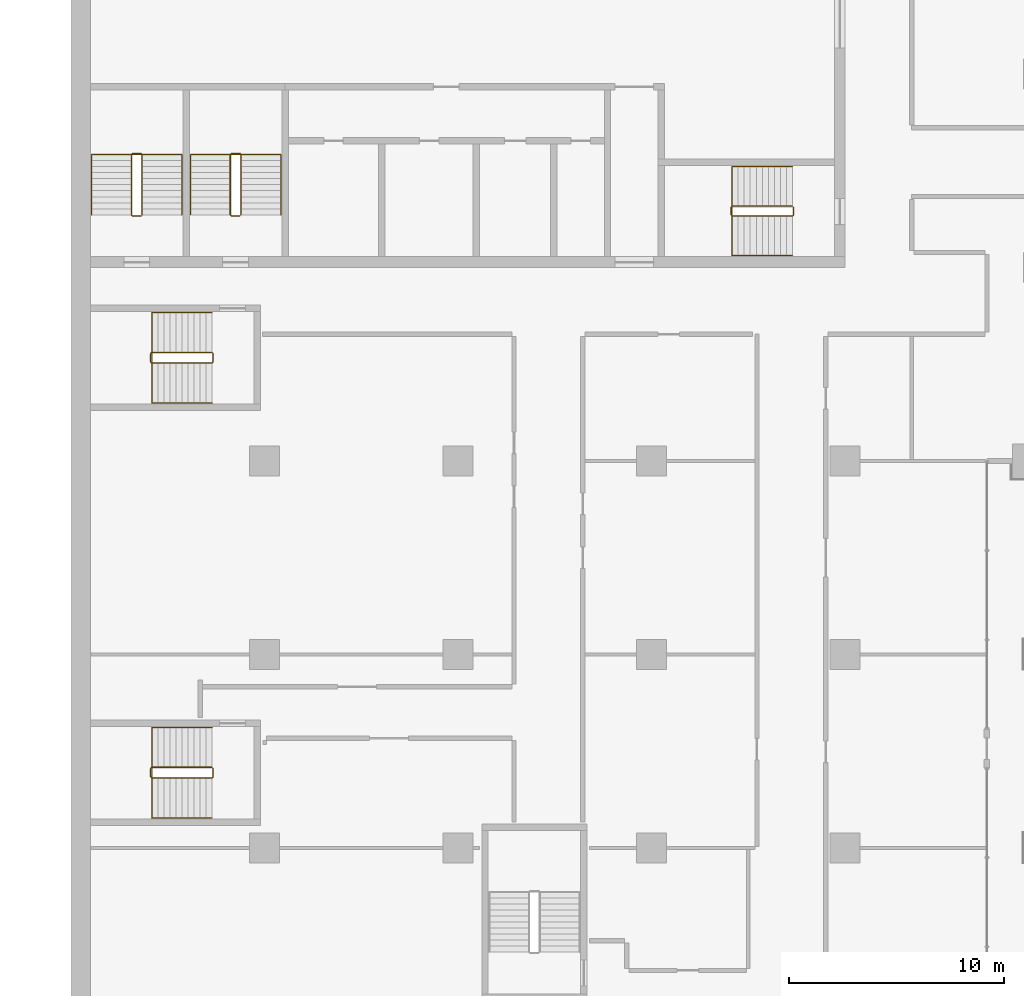
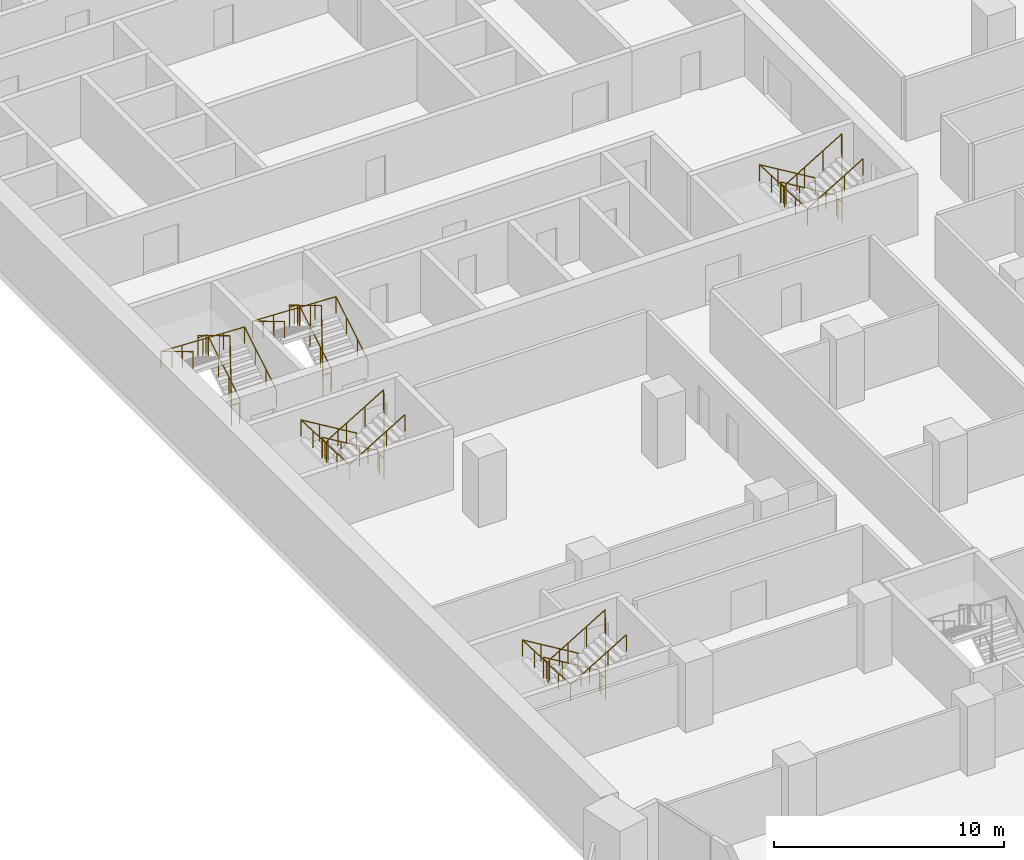
# One storey, part 25 of 28: 10 railings.
"""IFC4 building model written with IfcOpenShell, lengths in metres."""

from ifc_helpers import new_model, si_unit, direction, frame, origin, origin_2d, place, context, subcontext, project, spatial, circle, extrude, material, type_object, element, save


model = new_model("IFC4")

# Units and contexts
model_context = context("Model", 3, precision=1e-05, world=origin(), true_north=direction((0.0, 1.0)))
body_context = subcontext(model_context, "Body", "Model", "MODEL_VIEW")
ifc_project = project(units=[si_unit("LENGTHUNIT", "METRE"), si_unit("AREAUNIT", "SQUARE_METRE"), si_unit("VOLUMEUNIT", "CUBIC_METRE"), si_unit("PLANEANGLEUNIT", "RADIAN"), si_unit("MASSUNIT", "GRAM", prefix="KILO")], contexts=[model_context])

# Site, building, storey
site_placement = place(None, origin())
site = spatial("IfcSite", under=ifc_project, at=site_placement, CompositionType="ELEMENT")
building_placement = place(site_placement, origin())
building = spatial("IfcBuilding", under=site, at=building_placement, Name="Hunhe Ridgeline Campus", CompositionType="ELEMENT")
storey_placement = place(building_placement, frame((0.0, 0.0, 61.699951171875)))
storey = spatial("IfcBuildingStorey", under=building, at=storey_placement, Name="L14", CompositionType="ELEMENT", Elevation=61.699951171875)

# Railings
ifc_material_1 = material(Name="Stainless steel balustrade", Category="steel")
railing_type_1 = type_object("IfcRailingType", Name="Stair guard 1100 stainless", PredefinedType="GUARDRAIL", material=ifc_material_1)
railing_1_placement = place(storey_placement, frame((33.550048828125, 65.85009765625, 0.168212890625)))
element("IfcRailing", 1, at=railing_1_placement, inside=storey, type_object=railing_type_1, Name="L14 stair S2 guard", PredefinedType="GUARDRAIL", context=body_context, shape_type="SweptSolid", body=[
    extrude(circle(Radius=0.02392578125, at=origin_2d()), frame((0.0, 0.0, 1.076171875), z_axis=(-0.857242210791, 0.0, 0.514913383045), x_axis=(0.0, -1.0, 0.0)), (0.0, 0.0, 1.0), 3.266357421875),
    extrude(circle(Radius=0.02392578125, at=origin_2d()), frame((-2.800048828125, 0.0, 2.7578125), z_axis=(-0.707106781187, -0.707106781187, 0.0), x_axis=(0.707106781187, -0.707106781187, 0.0)), (0.0, 0.0, 1.0), 0.07080078125),
    extrude(circle(Radius=0.02392578125, at=origin_2d()), frame((-2.85009765625, -0.050048828125, 2.7578125), z_axis=(0.0, -1.0, 0.0), x_axis=(1.0, 0.0, 0.0)), (0.0, 0.0, 1.0), 0.35009765625),
    extrude(circle(Radius=0.02392578125, at=origin_2d()), frame((-2.85009765625, -0.400146484375, 2.7578125), z_axis=(0.274243871929, -0.274243871929, 0.92172696468), x_axis=(0.707106781187, 0.707106781187, 0.0)), (0.0, 0.0, 1.0), 0.1826171875),
    extrude(circle(Radius=0.02392578125, at=origin_2d()), frame((-2.800048828125, -0.4501953125, 2.92626953125), z_axis=(0.857275202839, 0.0, 0.514858452973), x_axis=(0.0, 1.0, 0.0)), (0.0, 0.0, 1.0), 3.26611328125),
    extrude(circle(Radius=0.02392578125, at=origin_2d()), frame((0.0, -0.4501953125, 4.60791015625), z_axis=(0.013524414389, 0.013524414389, -0.999817073484), x_axis=(-0.707106781187, 0.707106781187, 0.0)), (0.0, 0.0, 1.0), 3.70068359375),
    extrude(circle(Radius=0.02392578125, at=origin_2d()), frame((0.050048828125, -0.400146484375, 0.90771484375), z_axis=(0.0, 1.0, 0.0), x_axis=(-1.0, 0.0, 0.0)), (0.0, 0.0, 1.0), 0.35009765625),
    extrude(circle(Radius=0.02099609375, at=origin_2d()), origin(), (0.0, 0.0, 1.0), 1.052001953125),
    extrude(circle(Radius=0.02099609375, at=origin_2d()), frame((-0.933349609375, 0.0, 0.560546875)), (0.0, 0.0, 1.0), 1.052001953125),
    extrude(circle(Radius=0.02099609375, at=origin_2d()), frame((-1.86669921875, 0.0, 1.121337890625)), (0.0, 0.0, 1.0), 1.052001953125),
    extrude(circle(Radius=0.02099609375, at=origin_2d()), frame((-2.800048828125, 0.0, 1.681884765625)), (0.0, 0.0, 1.0), 1.052001953125),
    extrude(circle(Radius=0.02099609375, at=origin_2d()), frame((-2.85009765625, -0.050048828125, 1.681884765625)), (0.0, 0.0, 1.0), 1.052001953125),
    extrude(circle(Radius=0.02099609375, at=origin_2d()), frame((-2.85009765625, -0.400146484375, 1.681884765625)), (0.0, 0.0, 1.0), 1.052001953125),
    extrude(circle(Radius=0.02099609375, at=origin_2d()), frame((-2.800048828125, -0.4501953125, 1.85009765625)), (0.0, 0.0, 1.0), 1.052001953125),
    extrude(circle(Radius=0.02099609375, at=origin_2d()), frame((-1.86669921875, -0.4501953125, 2.41064453125)), (0.0, 0.0, 1.0), 1.052001953125),
    extrude(circle(Radius=0.02099609375, at=origin_2d()), frame((-0.933349609375, -0.4501953125, 2.97119140625)), (0.0, 0.0, 1.0), 1.052001953125),
    extrude(circle(Radius=0.02099609375, at=origin_2d()), frame((0.0, -0.4501953125, 3.53173828125)), (0.0, 0.0, 1.0), 1.052001953125),
    extrude(circle(Radius=0.02099609375, at=origin_2d()), frame((0.012451171875, -0.437744140625, 2.606689453125)), (0.0, 0.0, 1.0), 1.052001953125),
    extrude(circle(Radius=0.02099609375, at=origin_2d()), frame((0.02490234375, -0.42529296875, 1.681640625)), (0.0, 0.0, 1.0), 1.052001953125),
    extrude(circle(Radius=0.02099609375, at=origin_2d()), frame((0.03759765625, -0.41259765625, 0.7568359375)), (0.0, 0.0, 1.0), 1.052001953125),
    extrude(circle(Radius=0.02099609375, at=origin_2d()), frame((0.050048828125, -0.400146484375, -0.168212890625)), (0.0, 0.0, 1.0), 1.052001953125),
    extrude(circle(Radius=0.02099609375, at=origin_2d()), frame((0.050048828125, -0.050048828125, -0.168212890625)), (0.0, 0.0, 1.0), 1.052001953125),
])
railing_2_placement = place(storey_placement, frame((3.300048828125, 65.449951171875, 0.168212890625)))
element("IfcRailing", 2, at=railing_2_placement, inside=storey, type_object=railing_type_1, Name="L14 stair S3 guard", PredefinedType="GUARDRAIL", context=body_context, shape_type="SweptSolid", body=[
    extrude(circle(Radius=0.02392578125, at=origin_2d()), frame((0.0, 0.0, 1.076171875), z_axis=(0.0, 0.857242210791, 0.514913383045), x_axis=(-1.0, 0.0, 0.0)), (0.0, 0.0, 1.0), 3.266357421875),
    extrude(circle(Radius=0.02392578125, at=origin_2d()), frame((0.0, 2.800048828125, 2.7578125), z_axis=(-0.707106781187, 0.707106781187, 0.0), x_axis=(-0.707106781187, -0.707106781187, 0.0)), (0.0, 0.0, 1.0), 0.07080078125),
    extrude(circle(Radius=0.02392578125, at=origin_2d()), frame((-0.050048828125, 2.85009765625, 2.7578125), z_axis=(-1.0, 0.0, 0.0), x_axis=(0.0, -1.0, 0.0)), (0.0, 0.0, 1.0), 0.39990234375),
    extrude(circle(Radius=0.02392578125, at=origin_2d()), frame((-0.449951171875, 2.85009765625, 2.7578125), z_axis=(-0.274243871929, -0.274243871929, 0.92172696468), x_axis=(0.707106781187, -0.707106781187, 0.0)), (0.0, 0.0, 1.0), 0.1826171875),
    extrude(circle(Radius=0.02392578125, at=origin_2d()), frame((-0.5, 2.800048828125, 2.92626953125), z_axis=(0.0, -0.857275202839, 0.514858452973), x_axis=(1.0, 0.0, 0.0)), (0.0, 0.0, 1.0), 3.26611328125),
    extrude(circle(Radius=0.02392578125, at=origin_2d()), frame((-0.5, 0.0, 4.60791015625), z_axis=(0.013524414389, -0.013524414389, -0.999817073484), x_axis=(0.707106781187, 0.707106781187, 0.0)), (0.0, 0.0, 1.0), 3.70068359375),
    extrude(circle(Radius=0.02392578125, at=origin_2d()), frame((-0.449951171875, -0.050048828125, 0.90771484375), z_axis=(1.0, 0.0, 0.0), x_axis=(0.0, 1.0, 0.0)), (0.0, 0.0, 1.0), 0.39990234375),
    extrude(circle(Radius=0.02099609375, at=origin_2d()), origin(), (0.0, 0.0, 1.0), 1.052001953125),
    extrude(circle(Radius=0.02099609375, at=origin_2d()), frame((0.0, 0.933349609375, 0.560546875)), (0.0, 0.0, 1.0), 1.052001953125),
    extrude(circle(Radius=0.02099609375, at=origin_2d()), frame((0.0, 1.86669921875, 1.121337890625)), (0.0, 0.0, 1.0), 1.052001953125),
    extrude(circle(Radius=0.02099609375, at=origin_2d()), frame((0.0, 2.800048828125, 1.681884765625)), (0.0, 0.0, 1.0), 1.052001953125),
    extrude(circle(Radius=0.02099609375, at=origin_2d()), frame((-0.050048828125, 2.85009765625, 1.681884765625)), (0.0, 0.0, 1.0), 1.052001953125),
    extrude(circle(Radius=0.02099609375, at=origin_2d()), frame((-0.449951171875, 2.85009765625, 1.681884765625)), (0.0, 0.0, 1.0), 1.052001953125),
    extrude(circle(Radius=0.02099609375, at=origin_2d()), frame((-0.5, 2.800048828125, 1.85009765625)), (0.0, 0.0, 1.0), 1.052001953125),
    extrude(circle(Radius=0.02099609375, at=origin_2d()), frame((-0.5, 1.86669921875, 2.41064453125)), (0.0, 0.0, 1.0), 1.052001953125),
    extrude(circle(Radius=0.02099609375, at=origin_2d()), frame((-0.5, 0.933349609375, 2.97119140625)), (0.0, 0.0, 1.0), 1.052001953125),
    extrude(circle(Radius=0.02099609375, at=origin_2d()), frame((-0.5, 0.0, 3.53173828125)), (0.0, 0.0, 1.0), 1.052001953125),
    extrude(circle(Radius=0.02099609375, at=origin_2d()), frame((-0.487548828125, -0.012451171875, 2.606689453125)), (0.0, 0.0, 1.0), 1.052001953125),
    extrude(circle(Radius=0.02099609375, at=origin_2d()), frame((-0.47509765625, -0.02490234375, 1.681640625)), (0.0, 0.0, 1.0), 1.052001953125),
    extrude(circle(Radius=0.02099609375, at=origin_2d()), frame((-0.46240234375, -0.03759765625, 0.7568359375)), (0.0, 0.0, 1.0), 1.052001953125),
    extrude(circle(Radius=0.02099609375, at=origin_2d()), frame((-0.449951171875, -0.050048828125, -0.168212890625)), (0.0, 0.0, 1.0), 1.052001953125),
    extrude(circle(Radius=0.02099609375, at=origin_2d()), frame((-0.050048828125, -0.050048828125, -0.168212890625)), (0.0, 0.0, 1.0), 1.052001953125),
])
railing_3_placement = place(storey_placement, frame((7.89990234375, 65.449951171875, 0.168212890625)))
element("IfcRailing", 3, at=railing_3_placement, inside=storey, type_object=railing_type_1, Name="L14 stair S4 guard", PredefinedType="GUARDRAIL", context=body_context, shape_type="SweptSolid", body=[
    extrude(circle(Radius=0.02392578125, at=origin_2d()), frame((0.0, 0.0, 1.076171875), z_axis=(0.0, 0.857242210791, 0.514913383045), x_axis=(-1.0, 0.0, 0.0)), (0.0, 0.0, 1.0), 3.266357421875),
    extrude(circle(Radius=0.02392578125, at=origin_2d()), frame((0.0, 2.800048828125, 2.7578125), z_axis=(-0.705375805398, 0.708833529934, 0.0), x_axis=(-0.708833529934, -0.705375805398, 0.0)), (0.0, 0.0, 1.0), 0.070556640625),
    extrude(circle(Radius=0.02392578125, at=origin_2d()), frame((-0.0498046875, 2.85009765625, 2.7578125), z_axis=(-1.0, 0.0, 0.0), x_axis=(0.0, -1.0, 0.0)), (0.0, 0.0, 1.0), 0.400146484375),
    extrude(circle(Radius=0.02392578125, at=origin_2d()), frame((-0.449951171875, 2.85009765625, 2.7578125), z_axis=(-0.274243871929, -0.274243871929, 0.92172696468), x_axis=(0.707106781187, -0.707106781187, 0.0)), (0.0, 0.0, 1.0), 0.1826171875),
    extrude(circle(Radius=0.02392578125, at=origin_2d()), frame((-0.5, 2.800048828125, 2.92626953125), z_axis=(0.0, -0.857275202839, 0.514858452973), x_axis=(1.0, 0.0, 0.0)), (0.0, 0.0, 1.0), 3.26611328125),
    extrude(circle(Radius=0.02392578125, at=origin_2d()), frame((-0.5, 0.0, 4.60791015625), z_axis=(0.013524414389, -0.013524414389, -0.999817073484), x_axis=(0.707106781187, 0.707106781187, 0.0)), (0.0, 0.0, 1.0), 3.70068359375),
    extrude(circle(Radius=0.02392578125, at=origin_2d()), frame((-0.449951171875, -0.050048828125, 0.90771484375), z_axis=(1.0, 0.0, 0.0), x_axis=(0.0, 1.0, 0.0)), (0.0, 0.0, 1.0), 0.400146484375),
    extrude(circle(Radius=0.02099609375, at=origin_2d()), origin(), (0.0, 0.0, 1.0), 1.052001953125),
    extrude(circle(Radius=0.02099609375, at=origin_2d()), frame((0.0, 0.933349609375, 0.560546875)), (0.0, 0.0, 1.0), 1.052001953125),
    extrude(circle(Radius=0.02099609375, at=origin_2d()), frame((0.0, 1.86669921875, 1.121337890625)), (0.0, 0.0, 1.0), 1.052001953125),
    extrude(circle(Radius=0.02099609375, at=origin_2d()), frame((0.0, 2.800048828125, 1.681884765625)), (0.0, 0.0, 1.0), 1.052001953125),
    extrude(circle(Radius=0.02099609375, at=origin_2d()), frame((-0.0498046875, 2.85009765625, 1.681884765625)), (0.0, 0.0, 1.0), 1.052001953125),
    extrude(circle(Radius=0.02099609375, at=origin_2d()), frame((-0.449951171875, 2.85009765625, 1.681884765625)), (0.0, 0.0, 1.0), 1.052001953125),
    extrude(circle(Radius=0.02099609375, at=origin_2d()), frame((-0.5, 2.800048828125, 1.85009765625)), (0.0, 0.0, 1.0), 1.052001953125),
    extrude(circle(Radius=0.02099609375, at=origin_2d()), frame((-0.5, 1.86669921875, 2.41064453125)), (0.0, 0.0, 1.0), 1.052001953125),
    extrude(circle(Radius=0.02099609375, at=origin_2d()), frame((-0.5, 0.933349609375, 2.97119140625)), (0.0, 0.0, 1.0), 1.052001953125),
    extrude(circle(Radius=0.02099609375, at=origin_2d()), frame((-0.5, 0.0, 3.53173828125)), (0.0, 0.0, 1.0), 1.052001953125),
    extrude(circle(Radius=0.02099609375, at=origin_2d()), frame((-0.487548828125, -0.012451171875, 2.606689453125)), (0.0, 0.0, 1.0), 1.052001953125),
    extrude(circle(Radius=0.02099609375, at=origin_2d()), frame((-0.47509765625, -0.02490234375, 1.681640625)), (0.0, 0.0, 1.0), 1.052001953125),
    extrude(circle(Radius=0.02099609375, at=origin_2d()), frame((-0.46240234375, -0.03759765625, 0.7568359375)), (0.0, 0.0, 1.0), 1.052001953125),
    extrude(circle(Radius=0.02099609375, at=origin_2d()), frame((-0.449951171875, -0.050048828125, -0.168212890625)), (0.0, 0.0, 1.0), 1.052001953125),
    extrude(circle(Radius=0.02099609375, at=origin_2d()), frame((-0.0498046875, -0.050048828125, -0.168212890625)), (0.0, 0.0, 1.0), 1.052001953125),
])
railing_4_placement = place(storey_placement, frame((6.550048828125, 39.75, 0.168212890625)))
element("IfcRailing", 4, at=railing_4_placement, inside=storey, type_object=railing_type_1, Name="L14 stair W1 guard", PredefinedType="GUARDRAIL", context=body_context, shape_type="SweptSolid", body=[
    extrude(circle(Radius=0.02392578125, at=origin_2d()), frame((0.0, 0.0, 1.076171875), z_axis=(-0.857242210791, 0.0, 0.514913383045), x_axis=(0.0, -1.0, 0.0)), (0.0, 0.0, 1.0), 3.266357421875),
    extrude(circle(Radius=0.02392578125, at=origin_2d()), frame((-2.800048828125, 0.0, 2.7578125), z_axis=(-0.707106781187, -0.707106781187, 0.0), x_axis=(0.707106781187, -0.707106781187, 0.0)), (0.0, 0.0, 1.0), 0.07080078125),
    extrude(circle(Radius=0.02392578125, at=origin_2d()), frame((-2.85009765625, -0.050048828125, 2.7578125), z_axis=(0.0, -1.0, 0.0), x_axis=(1.0, 0.0, 0.0)), (0.0, 0.0, 1.0), 0.39990234375),
    extrude(circle(Radius=0.02392578125, at=origin_2d()), frame((-2.85009765625, -0.449951171875, 2.7578125), z_axis=(0.274243871929, -0.274243871929, 0.92172696468), x_axis=(0.707106781187, 0.707106781187, 0.0)), (0.0, 0.0, 1.0), 0.1826171875),
    extrude(circle(Radius=0.02392578125, at=origin_2d()), frame((-2.800048828125, -0.5, 2.92626953125), z_axis=(0.857275202839, 0.0, 0.514858452973), x_axis=(0.0, 1.0, 0.0)), (0.0, 0.0, 1.0), 3.26611328125),
    extrude(circle(Radius=0.02392578125, at=origin_2d()), frame((0.0, -0.5, 4.60791015625), z_axis=(0.013524414389, 0.013524414389, -0.999817073484), x_axis=(-0.707106781187, 0.707106781187, 0.0)), (0.0, 0.0, 1.0), 3.70068359375),
    extrude(circle(Radius=0.02392578125, at=origin_2d()), frame((0.050048828125, -0.449951171875, 0.90771484375), z_axis=(0.0, 1.0, 0.0), x_axis=(-1.0, 0.0, 0.0)), (0.0, 0.0, 1.0), 0.39990234375),
    extrude(circle(Radius=0.02099609375, at=origin_2d()), origin(), (0.0, 0.0, 1.0), 1.052001953125),
    extrude(circle(Radius=0.02099609375, at=origin_2d()), frame((-0.933349609375, 0.0, 0.560546875)), (0.0, 0.0, 1.0), 1.052001953125),
    extrude(circle(Radius=0.02099609375, at=origin_2d()), frame((-1.86669921875, 0.0, 1.121337890625)), (0.0, 0.0, 1.0), 1.052001953125),
    extrude(circle(Radius=0.02099609375, at=origin_2d()), frame((-2.800048828125, 0.0, 1.681884765625)), (0.0, 0.0, 1.0), 1.052001953125),
    extrude(circle(Radius=0.02099609375, at=origin_2d()), frame((-2.85009765625, -0.050048828125, 1.681884765625)), (0.0, 0.0, 1.0), 1.052001953125),
    extrude(circle(Radius=0.02099609375, at=origin_2d()), frame((-2.85009765625, -0.449951171875, 1.681884765625)), (0.0, 0.0, 1.0), 1.052001953125),
    extrude(circle(Radius=0.02099609375, at=origin_2d()), frame((-2.800048828125, -0.5, 1.85009765625)), (0.0, 0.0, 1.0), 1.052001953125),
    extrude(circle(Radius=0.02099609375, at=origin_2d()), frame((-1.86669921875, -0.5, 2.41064453125)), (0.0, 0.0, 1.0), 1.052001953125),
    extrude(circle(Radius=0.02099609375, at=origin_2d()), frame((-0.933349609375, -0.5, 2.97119140625)), (0.0, 0.0, 1.0), 1.052001953125),
    extrude(circle(Radius=0.02099609375, at=origin_2d()), frame((0.0, -0.5, 3.53173828125)), (0.0, 0.0, 1.0), 1.052001953125),
    extrude(circle(Radius=0.02099609375, at=origin_2d()), frame((0.012451171875, -0.487548828125, 2.606689453125)), (0.0, 0.0, 1.0), 1.052001953125),
    extrude(circle(Radius=0.02099609375, at=origin_2d()), frame((0.02490234375, -0.47509765625, 1.681640625)), (0.0, 0.0, 1.0), 1.052001953125),
    extrude(circle(Radius=0.02099609375, at=origin_2d()), frame((0.03759765625, -0.46240234375, 0.7568359375)), (0.0, 0.0, 1.0), 1.052001953125),
    extrude(circle(Radius=0.02099609375, at=origin_2d()), frame((0.050048828125, -0.449951171875, -0.168212890625)), (0.0, 0.0, 1.0), 1.052001953125),
    extrude(circle(Radius=0.02099609375, at=origin_2d()), frame((0.050048828125, -0.050048828125, -0.168212890625)), (0.0, 0.0, 1.0), 1.052001953125),
])
railing_5_placement = place(storey_placement, frame((6.550048828125, 59.050048828125, 0.168212890625)))
element("IfcRailing", 5, at=railing_5_placement, inside=storey, type_object=railing_type_1, Name="L14 stair W2 guard", PredefinedType="GUARDRAIL", context=body_context, shape_type="SweptSolid", body=[
    extrude(circle(Radius=0.02392578125, at=origin_2d()), frame((0.0, 0.0, 1.076171875), z_axis=(-0.857242210791, 0.0, 0.514913383045), x_axis=(0.0, -1.0, 0.0)), (0.0, 0.0, 1.0), 3.266357421875),
    extrude(circle(Radius=0.02392578125, at=origin_2d()), frame((-2.800048828125, 0.0, 2.7578125), z_axis=(-0.707106781187, -0.707106781187, 0.0), x_axis=(0.707106781187, -0.707106781187, 0.0)), (0.0, 0.0, 1.0), 0.07080078125),
    extrude(circle(Radius=0.02392578125, at=origin_2d()), frame((-2.85009765625, -0.050048828125, 2.7578125), z_axis=(0.0, -1.0, 0.0), x_axis=(1.0, 0.0, 0.0)), (0.0, 0.0, 1.0), 0.39990234375),
    extrude(circle(Radius=0.02392578125, at=origin_2d()), frame((-2.85009765625, -0.449951171875, 2.7578125), z_axis=(0.274243871929, -0.274243871929, 0.92172696468), x_axis=(0.707106781187, 0.707106781187, 0.0)), (0.0, 0.0, 1.0), 0.1826171875),
    extrude(circle(Radius=0.02392578125, at=origin_2d()), frame((-2.800048828125, -0.5, 2.92626953125), z_axis=(0.857275202839, 0.0, 0.514858452973), x_axis=(0.0, 1.0, 0.0)), (0.0, 0.0, 1.0), 3.26611328125),
    extrude(circle(Radius=0.02392578125, at=origin_2d()), frame((0.0, -0.5, 4.60791015625), z_axis=(0.013524414389, 0.013524414389, -0.999817073484), x_axis=(-0.707106781187, 0.707106781187, 0.0)), (0.0, 0.0, 1.0), 3.70068359375),
    extrude(circle(Radius=0.02392578125, at=origin_2d()), frame((0.050048828125, -0.449951171875, 0.90771484375), z_axis=(0.0, 1.0, 0.0), x_axis=(-1.0, 0.0, 0.0)), (0.0, 0.0, 1.0), 0.39990234375),
    extrude(circle(Radius=0.02099609375, at=origin_2d()), origin(), (0.0, 0.0, 1.0), 1.052001953125),
    extrude(circle(Radius=0.02099609375, at=origin_2d()), frame((-0.933349609375, 0.0, 0.560546875)), (0.0, 0.0, 1.0), 1.052001953125),
    extrude(circle(Radius=0.02099609375, at=origin_2d()), frame((-1.86669921875, 0.0, 1.121337890625)), (0.0, 0.0, 1.0), 1.052001953125),
    extrude(circle(Radius=0.02099609375, at=origin_2d()), frame((-2.800048828125, 0.0, 1.681884765625)), (0.0, 0.0, 1.0), 1.052001953125),
    extrude(circle(Radius=0.02099609375, at=origin_2d()), frame((-2.85009765625, -0.050048828125, 1.681884765625)), (0.0, 0.0, 1.0), 1.052001953125),
    extrude(circle(Radius=0.02099609375, at=origin_2d()), frame((-2.85009765625, -0.449951171875, 1.681884765625)), (0.0, 0.0, 1.0), 1.052001953125),
    extrude(circle(Radius=0.02099609375, at=origin_2d()), frame((-2.800048828125, -0.5, 1.85009765625)), (0.0, 0.0, 1.0), 1.052001953125),
    extrude(circle(Radius=0.02099609375, at=origin_2d()), frame((-1.86669921875, -0.5, 2.41064453125)), (0.0, 0.0, 1.0), 1.052001953125),
    extrude(circle(Radius=0.02099609375, at=origin_2d()), frame((-0.933349609375, -0.5, 2.97119140625)), (0.0, 0.0, 1.0), 1.052001953125),
    extrude(circle(Radius=0.02099609375, at=origin_2d()), frame((0.0, -0.5, 3.53173828125)), (0.0, 0.0, 1.0), 1.052001953125),
    extrude(circle(Radius=0.02099609375, at=origin_2d()), frame((0.012451171875, -0.487548828125, 2.606689453125)), (0.0, 0.0, 1.0), 1.052001953125),
    extrude(circle(Radius=0.02099609375, at=origin_2d()), frame((0.02490234375, -0.47509765625, 1.681640625)), (0.0, 0.0, 1.0), 1.052001953125),
    extrude(circle(Radius=0.02099609375, at=origin_2d()), frame((0.03759765625, -0.46240234375, 0.7568359375)), (0.0, 0.0, 1.0), 1.052001953125),
    extrude(circle(Radius=0.02099609375, at=origin_2d()), frame((0.050048828125, -0.449951171875, -0.168212890625)), (0.0, 0.0, 1.0), 1.052001953125),
    extrude(circle(Radius=0.02099609375, at=origin_2d()), frame((0.050048828125, -0.050048828125, -0.168212890625)), (0.0, 0.0, 1.0), 1.052001953125),
])
ifc_material_2 = material(Name="Stainless steel handrail", Category="steel")
railing_type_2 = type_object("IfcRailingType", Name="Stair handrail 900 stainless", PredefinedType="HANDRAIL", material=ifc_material_2)
railing_6_placement = place(storey_placement, frame((33.550048828125, 67.699951171875, 0.168212890625)))
element("IfcRailing", 6, at=railing_6_placement, inside=storey, type_object=railing_type_2, Name="L14 stair S2 handrail", PredefinedType="HANDRAIL", context=body_context, shape_type="SweptSolid", body=[
    extrude(circle(Radius=0.02392578125, at=origin_2d()), frame((0.0, 0.0, 0.8759765625), z_axis=(-0.857242210791, 0.0, 0.514913383045), x_axis=(0.0, -1.0, 0.0)), (0.0, 0.0, 1.0), 3.266357421875),
    extrude(circle(Radius=0.02392578125, at=origin_2d()), frame((-2.800048828125, 0.0, 2.5576171875), z_axis=(0.0, -0.99917950104, 0.040500922239), x_axis=(1.0, 0.0, 0.0)), (0.0, 0.0, 1.0), 4.1533203125),
    extrude(circle(Radius=0.02392578125, at=origin_2d()), frame((-2.800048828125, -4.14990234375, 2.72607421875), z_axis=(0.857275202839, 0.0, 0.514858452973), x_axis=(0.0, 1.0, 0.0)), (0.0, 0.0, 1.0), 3.26611328125),
    extrude(circle(Radius=0.02099609375, at=origin_2d()), origin(), (0.0, 0.0, 1.0), 0.851806640625),
    extrude(circle(Radius=0.02099609375, at=origin_2d()), frame((-0.933349609375, 0.0, 0.560546875)), (0.0, 0.0, 1.0), 0.851806640625),
    extrude(circle(Radius=0.02099609375, at=origin_2d()), frame((-1.86669921875, 0.0, 1.121337890625)), (0.0, 0.0, 1.0), 0.851806640625),
    extrude(circle(Radius=0.02099609375, at=origin_2d()), frame((-2.800048828125, 0.0, 1.681884765625)), (0.0, 0.0, 1.0), 0.851806640625),
    extrude(circle(Radius=0.02099609375, at=origin_2d()), frame((-2.800048828125, -1.03759765625, 1.723876953125)), (0.0, 0.0, 1.0), 0.851806640625),
    extrude(circle(Radius=0.02099609375, at=origin_2d()), frame((-2.800048828125, -2.074951171875, 1.76611328125)), (0.0, 0.0, 1.0), 0.851806640625),
    extrude(circle(Radius=0.02099609375, at=origin_2d()), frame((-2.800048828125, -3.1123046875, 1.80810546875)), (0.0, 0.0, 1.0), 0.851806640625),
    extrude(circle(Radius=0.02099609375, at=origin_2d()), frame((-2.800048828125, -4.14990234375, 1.85009765625)), (0.0, 0.0, 1.0), 0.851806640625),
    extrude(circle(Radius=0.02099609375, at=origin_2d()), frame((-1.86669921875, -4.14990234375, 2.41064453125)), (0.0, 0.0, 1.0), 0.851806640625),
    extrude(circle(Radius=0.02099609375, at=origin_2d()), frame((-0.933349609375, -4.14990234375, 2.97119140625)), (0.0, 0.0, 1.0), 0.851806640625),
    extrude(circle(Radius=0.02099609375, at=origin_2d()), frame((0.0, -4.14990234375, 3.53173828125)), (0.0, 0.0, 1.0), 0.851806640625),
])
railing_7_placement = place(storey_placement, frame((5.14990234375, 65.449951171875, 0.168212890625)))
element("IfcRailing", 7, at=railing_7_placement, inside=storey, type_object=railing_type_2, Name="L14 stair S3 handrail", PredefinedType="HANDRAIL", context=body_context, shape_type="SweptSolid", body=[
    extrude(circle(Radius=0.02392578125, at=origin_2d()), frame((0.0, 0.0, 0.8759765625), z_axis=(0.0, 0.857242210791, 0.514913383045), x_axis=(-1.0, 0.0, 0.0)), (0.0, 0.0, 1.0), 3.266357421875),
    extrude(circle(Radius=0.02392578125, at=origin_2d()), frame((0.0, 2.800048828125, 2.5576171875), z_axis=(-0.999198916169, 0.0, 0.040019069537), x_axis=(0.0, -1.0, 0.0)), (0.0, 0.0, 1.0), 4.203369140625),
    extrude(circle(Radius=0.02392578125, at=origin_2d()), frame((-4.199951171875, 2.800048828125, 2.72607421875), z_axis=(0.0, -0.857275202839, 0.514858452973), x_axis=(1.0, 0.0, 0.0)), (0.0, 0.0, 1.0), 3.26611328125),
    extrude(circle(Radius=0.02099609375, at=origin_2d()), origin(), (0.0, 0.0, 1.0), 0.851806640625),
    extrude(circle(Radius=0.02099609375, at=origin_2d()), frame((0.0, 0.933349609375, 0.560546875)), (0.0, 0.0, 1.0), 0.851806640625),
    extrude(circle(Radius=0.02099609375, at=origin_2d()), frame((0.0, 1.86669921875, 1.121337890625)), (0.0, 0.0, 1.0), 0.851806640625),
    extrude(circle(Radius=0.02099609375, at=origin_2d()), frame((0.0, 2.800048828125, 1.681884765625)), (0.0, 0.0, 1.0), 0.851806640625),
    extrude(circle(Radius=0.02099609375, at=origin_2d()), frame((-1.050048828125, 2.800048828125, 1.723876953125)), (0.0, 0.0, 1.0), 0.851806640625),
    extrude(circle(Radius=0.02099609375, at=origin_2d()), frame((-2.10009765625, 2.800048828125, 1.76611328125)), (0.0, 0.0, 1.0), 0.851806640625),
    extrude(circle(Radius=0.02099609375, at=origin_2d()), frame((-3.14990234375, 2.800048828125, 1.80810546875)), (0.0, 0.0, 1.0), 0.851806640625),
    extrude(circle(Radius=0.02099609375, at=origin_2d()), frame((-4.199951171875, 2.800048828125, 1.85009765625)), (0.0, 0.0, 1.0), 0.851806640625),
    extrude(circle(Radius=0.02099609375, at=origin_2d()), frame((-4.199951171875, 1.86669921875, 2.41064453125)), (0.0, 0.0, 1.0), 0.851806640625),
    extrude(circle(Radius=0.02099609375, at=origin_2d()), frame((-4.199951171875, 0.933349609375, 2.97119140625)), (0.0, 0.0, 1.0), 0.851806640625),
    extrude(circle(Radius=0.02099609375, at=origin_2d()), frame((-4.199951171875, 0.0, 3.53173828125)), (0.0, 0.0, 1.0), 0.851806640625),
])
railing_8_placement = place(storey_placement, frame((9.75, 65.449951171875, 0.168212890625)))
element("IfcRailing", 8, at=railing_8_placement, inside=storey, type_object=railing_type_2, Name="L14 stair S4 handrail", PredefinedType="HANDRAIL", context=body_context, shape_type="SweptSolid", body=[
    extrude(circle(Radius=0.02392578125, at=origin_2d()), frame((0.0, 0.0, 0.8759765625), z_axis=(0.0, 0.857242210791, 0.514913383045), x_axis=(-1.0, 0.0, 0.0)), (0.0, 0.0, 1.0), 3.266357421875),
    extrude(circle(Radius=0.02392578125, at=origin_2d()), frame((0.0, 2.800048828125, 2.5576171875), z_axis=(-0.999198916169, 0.0, 0.040019069537), x_axis=(0.0, -1.0, 0.0)), (0.0, 0.0, 1.0), 4.203369140625),
    extrude(circle(Radius=0.02392578125, at=origin_2d()), frame((-4.199951171875, 2.800048828125, 2.72607421875), z_axis=(0.0, -0.857275202839, 0.514858452973), x_axis=(1.0, 0.0, 0.0)), (0.0, 0.0, 1.0), 3.26611328125),
    extrude(circle(Radius=0.02099609375, at=origin_2d()), origin(), (0.0, 0.0, 1.0), 0.851806640625),
    extrude(circle(Radius=0.02099609375, at=origin_2d()), frame((0.0, 0.933349609375, 0.560546875)), (0.0, 0.0, 1.0), 0.851806640625),
    extrude(circle(Radius=0.02099609375, at=origin_2d()), frame((0.0, 1.86669921875, 1.121337890625)), (0.0, 0.0, 1.0), 0.851806640625),
    extrude(circle(Radius=0.02099609375, at=origin_2d()), frame((0.0, 2.800048828125, 1.681884765625)), (0.0, 0.0, 1.0), 0.851806640625),
    extrude(circle(Radius=0.02099609375, at=origin_2d()), frame((-1.050048828125, 2.800048828125, 1.723876953125)), (0.0, 0.0, 1.0), 0.851806640625),
    extrude(circle(Radius=0.02099609375, at=origin_2d()), frame((-2.10009765625, 2.800048828125, 1.76611328125)), (0.0, 0.0, 1.0), 0.851806640625),
    extrude(circle(Radius=0.02099609375, at=origin_2d()), frame((-3.14990234375, 2.800048828125, 1.80810546875)), (0.0, 0.0, 1.0), 0.851806640625),
    extrude(circle(Radius=0.02099609375, at=origin_2d()), frame((-4.199951171875, 2.800048828125, 1.85009765625)), (0.0, 0.0, 1.0), 0.851806640625),
    extrude(circle(Radius=0.02099609375, at=origin_2d()), frame((-4.199951171875, 1.86669921875, 2.41064453125)), (0.0, 0.0, 1.0), 0.851806640625),
    extrude(circle(Radius=0.02099609375, at=origin_2d()), frame((-4.199951171875, 0.933349609375, 2.97119140625)), (0.0, 0.0, 1.0), 0.851806640625),
    extrude(circle(Radius=0.02099609375, at=origin_2d()), frame((-4.199951171875, 0.0, 3.53173828125)), (0.0, 0.0, 1.0), 0.851806640625),
])
railing_9_placement = place(storey_placement, frame((6.550048828125, 41.60009765625, 0.168212890625)))
element("IfcRailing", 9, at=railing_9_placement, inside=storey, type_object=railing_type_2, Name="L14 stair W1 handrail", PredefinedType="HANDRAIL", context=body_context, shape_type="SweptSolid", body=[
    extrude(circle(Radius=0.02392578125, at=origin_2d()), frame((0.0, 0.0, 0.8759765625), z_axis=(-0.857242210791, 0.0, 0.514913383045), x_axis=(0.0, -1.0, 0.0)), (0.0, 0.0, 1.0), 3.266357421875),
    extrude(circle(Radius=0.02392578125, at=origin_2d()), frame((-2.800048828125, 0.0, 2.5576171875), z_axis=(0.0, -0.999199009182, 0.040016747113), x_axis=(1.0, 0.0, 0.0)), (0.0, 0.0, 1.0), 4.20361328125),
    extrude(circle(Radius=0.02392578125, at=origin_2d()), frame((-2.800048828125, -4.2001953125, 2.72607421875), z_axis=(0.857275202839, 0.0, 0.514858452973), x_axis=(0.0, 1.0, 0.0)), (0.0, 0.0, 1.0), 3.26611328125),
    extrude(circle(Radius=0.02099609375, at=origin_2d()), origin(), (0.0, 0.0, 1.0), 0.851806640625),
    extrude(circle(Radius=0.02099609375, at=origin_2d()), frame((-0.933349609375, 0.0, 0.560546875)), (0.0, 0.0, 1.0), 0.851806640625),
    extrude(circle(Radius=0.02099609375, at=origin_2d()), frame((-1.86669921875, 0.0, 1.121337890625)), (0.0, 0.0, 1.0), 0.851806640625),
    extrude(circle(Radius=0.02099609375, at=origin_2d()), frame((-2.800048828125, 0.0, 1.681884765625)), (0.0, 0.0, 1.0), 0.851806640625),
    extrude(circle(Radius=0.02099609375, at=origin_2d()), frame((-2.800048828125, -1.050048828125, 1.723876953125)), (0.0, 0.0, 1.0), 0.851806640625),
    extrude(circle(Radius=0.02099609375, at=origin_2d()), frame((-2.800048828125, -2.10009765625, 1.76611328125)), (0.0, 0.0, 1.0), 0.851806640625),
    extrude(circle(Radius=0.02099609375, at=origin_2d()), frame((-2.800048828125, -3.150146484375, 1.80810546875)), (0.0, 0.0, 1.0), 0.851806640625),
    extrude(circle(Radius=0.02099609375, at=origin_2d()), frame((-2.800048828125, -4.2001953125, 1.85009765625)), (0.0, 0.0, 1.0), 0.851806640625),
    extrude(circle(Radius=0.02099609375, at=origin_2d()), frame((-1.86669921875, -4.2001953125, 2.41064453125)), (0.0, 0.0, 1.0), 0.851806640625),
    extrude(circle(Radius=0.02099609375, at=origin_2d()), frame((-0.933349609375, -4.2001953125, 2.97119140625)), (0.0, 0.0, 1.0), 0.851806640625),
    extrude(circle(Radius=0.02099609375, at=origin_2d()), frame((0.0, -4.2001953125, 3.53173828125)), (0.0, 0.0, 1.0), 0.851806640625),
])
railing_10_placement = place(storey_placement, frame((6.550048828125, 60.89990234375, 0.168212890625)))
element("IfcRailing", 10, at=railing_10_placement, inside=storey, type_object=railing_type_2, Name="L14 stair W2 handrail", PredefinedType="HANDRAIL", context=body_context, shape_type="SweptSolid", body=[
    extrude(circle(Radius=0.02392578125, at=origin_2d()), frame((0.0, 0.0, 0.8759765625), z_axis=(-0.857242210791, 0.0, 0.514913383045), x_axis=(0.0, -1.0, 0.0)), (0.0, 0.0, 1.0), 3.266357421875),
    extrude(circle(Radius=0.02392578125, at=origin_2d()), frame((-2.800048828125, 0.0, 2.5576171875), z_axis=(0.0, -0.999198916169, 0.040019069537), x_axis=(1.0, 0.0, 0.0)), (0.0, 0.0, 1.0), 4.203369140625),
    extrude(circle(Radius=0.02392578125, at=origin_2d()), frame((-2.800048828125, -4.199951171875, 2.72607421875), z_axis=(0.857275202839, 0.0, 0.514858452973), x_axis=(0.0, 1.0, 0.0)), (0.0, 0.0, 1.0), 3.26611328125),
    extrude(circle(Radius=0.02099609375, at=origin_2d()), origin(), (0.0, 0.0, 1.0), 0.851806640625),
    extrude(circle(Radius=0.02099609375, at=origin_2d()), frame((-0.933349609375, 0.0, 0.560546875)), (0.0, 0.0, 1.0), 0.851806640625),
    extrude(circle(Radius=0.02099609375, at=origin_2d()), frame((-1.86669921875, 0.0, 1.121337890625)), (0.0, 0.0, 1.0), 0.851806640625),
    extrude(circle(Radius=0.02099609375, at=origin_2d()), frame((-2.800048828125, 0.0, 1.681884765625)), (0.0, 0.0, 1.0), 0.851806640625),
    extrude(circle(Radius=0.02099609375, at=origin_2d()), frame((-2.800048828125, -1.050048828125, 1.723876953125)), (0.0, 0.0, 1.0), 0.851806640625),
    extrude(circle(Radius=0.02099609375, at=origin_2d()), frame((-2.800048828125, -2.10009765625, 1.76611328125)), (0.0, 0.0, 1.0), 0.851806640625),
    extrude(circle(Radius=0.02099609375, at=origin_2d()), frame((-2.800048828125, -3.14990234375, 1.80810546875)), (0.0, 0.0, 1.0), 0.851806640625),
    extrude(circle(Radius=0.02099609375, at=origin_2d()), frame((-2.800048828125, -4.199951171875, 1.85009765625)), (0.0, 0.0, 1.0), 0.851806640625),
    extrude(circle(Radius=0.02099609375, at=origin_2d()), frame((-1.86669921875, -4.199951171875, 2.41064453125)), (0.0, 0.0, 1.0), 0.851806640625),
    extrude(circle(Radius=0.02099609375, at=origin_2d()), frame((-0.933349609375, -4.199951171875, 2.97119140625)), (0.0, 0.0, 1.0), 0.851806640625),
    extrude(circle(Radius=0.02099609375, at=origin_2d()), frame((0.0, -4.199951171875, 3.53173828125)), (0.0, 0.0, 1.0), 0.851806640625),
])

save(model, "model.ifc")
